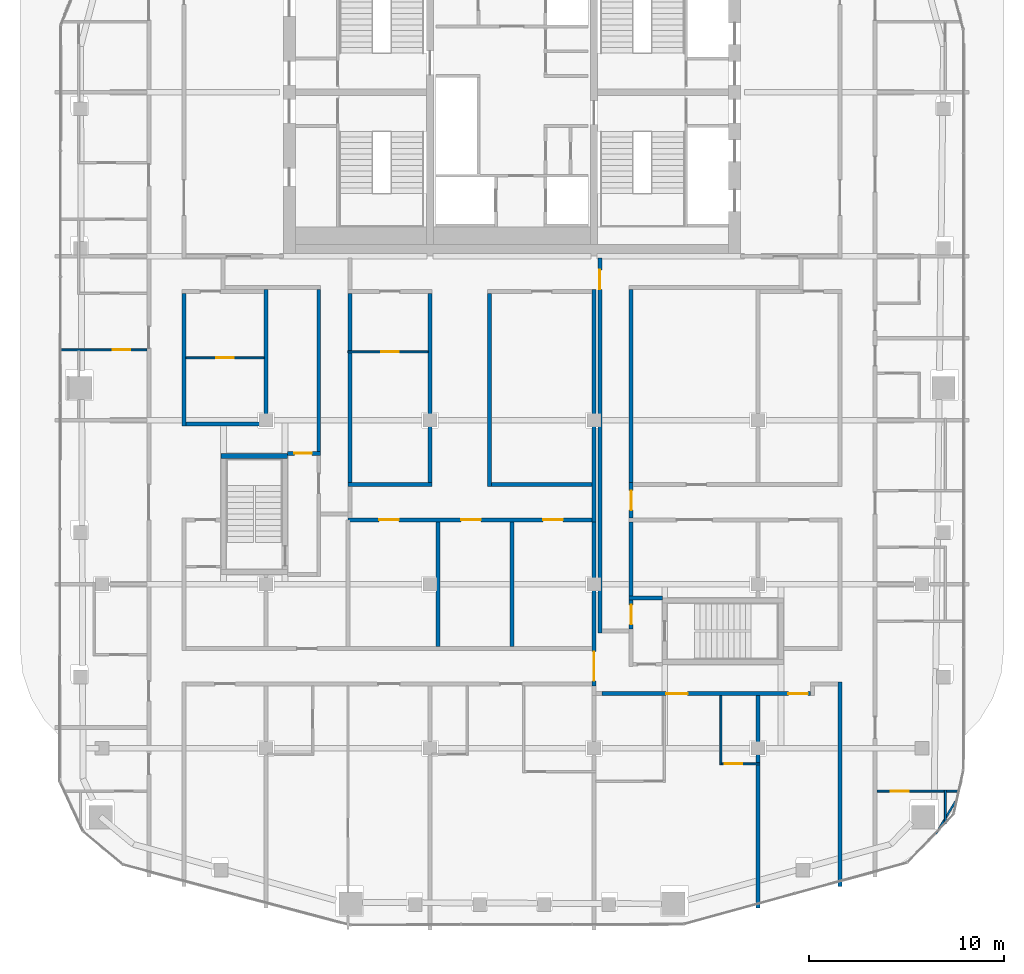
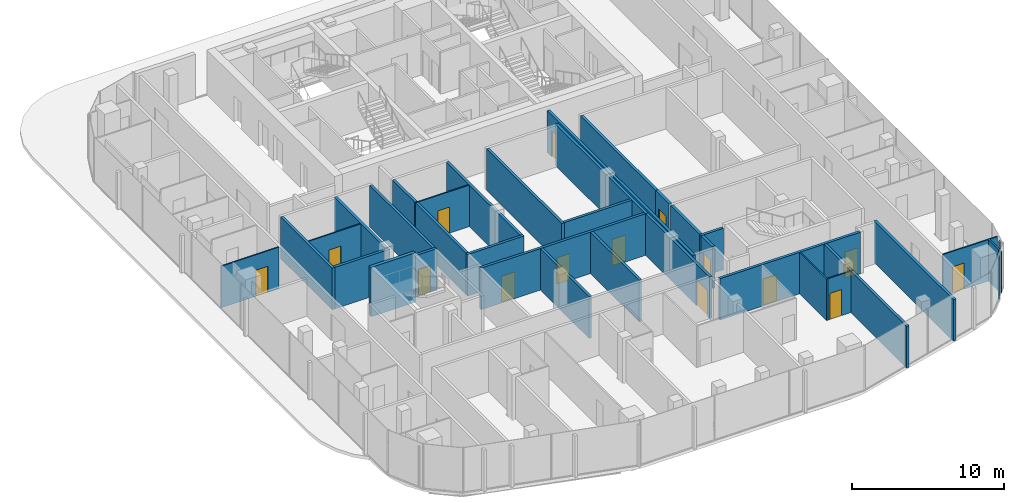
# One storey, part 15 of 21: 32 walls, 15 doors, 15 openings.
"""IFC4 building model written with IfcOpenShell, lengths in metres."""

from ifc_helpers import new_model, si_unit, direction, frame, frame_2d, origin, place, context, subcontext, project, spatial, rectangle, extrude, material, layer, layer_set, type_object, element, fill, save


model = new_model("IFC4")

# Units and contexts
model_context = context("Model", 3, precision=1e-05, world=origin(), true_north=direction((0.0, 1.0)))
body_context = subcontext(model_context, "Body", "Model", "MODEL_VIEW")
ifc_project = project(units=[si_unit("LENGTHUNIT", "METRE"), si_unit("AREAUNIT", "SQUARE_METRE"), si_unit("VOLUMEUNIT", "CUBIC_METRE"), si_unit("PLANEANGLEUNIT", "RADIAN"), si_unit("MASSUNIT", "GRAM", prefix="KILO")], contexts=[model_context])

# Site, building, storey
site_placement = place(None, origin())
site = spatial("IfcSite", under=ifc_project, at=site_placement, CompositionType="ELEMENT")
building_placement = place(site_placement, origin())
building = spatial("IfcBuilding", under=site, at=building_placement, Name="Marenta Gate Hotel Tower", CompositionType="ELEMENT")
storey_placement = place(building_placement, frame((0.0, 0.0, 266.89990234375)))
storey = spatial("IfcBuildingStorey", under=building, at=storey_placement, Name="L61", CompositionType="ELEMENT", Elevation=266.89990234375)

# Wall, opening, door
ifc_material_1 = material(Name="Concrete blockwork", Category="masonry")
ifc_layer_1 = layer(ifc_material_1, 0.199951171875)
ifc_layer_set_1 = layer_set([ifc_layer_1], Name="Concrete blockwork")
wall_type_1 = type_object("IfcWallType", Name="Compartment wall 200 REI 180", PredefinedType="PARTITIONING", material=ifc_layer_set_1)
wall_1_placement = place(storey_placement, frame((4.199951171875, -22.0, 0.0), z_axis=(0.0, 0.0, 1.0), x_axis=(0.0, 1.0, 0.0)))
wall_1 = element("IfcWall", 1, at=wall_1_placement, inside=storey, type_object=wall_type_1, Name="L61-PTN-W066", PredefinedType="PARTITIONING", context=body_context, shape_type="SweptSolid", body=[
    extrude(rectangle(XDim=8.39990234375, YDim=0.199951171875, at=frame_2d((4.199951171875, 0.0))), origin(), (0.0, 0.0, 1.0), 3.340087890625),
])
opening_1_placement = place(wall_1_placement, frame((0.25, 0.0, 0.0)))
opening_1 = element("IfcOpeningElement", 2, at=opening_1_placement, cuts=wall_1, Name="Opening G22-FD1", PredefinedType="OPENING", context=body_context, shape_type="SweptSolid", body=[
    extrude(rectangle(XDim=1.5, YDim=2.10009765625, at=frame_2d((0.75, 1.050048828125))), frame((0.0, 0.10009765625, 0.0), z_axis=(0.0, -1.0, 0.0), x_axis=(1.0, 0.0, 0.0)), (0.0, 0.0, 1.0), 0.199951171875),
])
ifc_material_2 = material(Name="Hollow steel door set", Category="steel")
door_type_1 = type_object("IfcDoorType", Name="Compartment fire door 1500x2100 EI 60", OperationType="DOUBLE_DOOR_DOUBLE_SWING", PredefinedType="DOOR", material=ifc_material_2)
door_1_placement = place(opening_1_placement, origin())
door_1 = element("IfcDoor", 3, at=door_1_placement, inside=storey, type_object=door_type_1, Name="L61-PD-FD01", OperationType="DOUBLE_DOOR_DOUBLE_SWING", OverallHeight=2.10009765625, OverallWidth=1.5, PredefinedType="DOOR", context=body_context, shape_type="SweptSolid", body=[
    extrude(rectangle(XDim=1.5, YDim=2.10009765625, at=frame_2d((0.75, 1.050048828125))), frame((0.0, 0.02490234375, 0.0), z_axis=(0.0, -1.0, 0.0), x_axis=(1.0, 0.0, 0.0)), (0.0, 0.0, 1.0), 0.050048828125),
])
fill(opening_1, door_1)

# Walls
wall_2_placement = place(storey_placement, frame((4.199951171875, -13.60009765625, 0.0), z_axis=(0.0, 0.0, 1.0), x_axis=(0.0, 1.0, 0.0)))
element("IfcWall", 4, at=wall_2_placement, inside=storey, type_object=wall_type_1, Name="L61-PTN-W067", PredefinedType="PARTITIONING", context=body_context, shape_type="SweptSolid", body=[
    extrude(rectangle(XDim=11.900146484375, YDim=0.199951171875, at=frame_2d((5.9501953125, 0.0))), origin(), (0.0, 0.0, 1.0), 3.340087890625),
])
ifc_material_3 = material(Name="Concrete C40", Category="concrete")
ifc_layer_2 = layer(ifc_material_3, 0.25)
ifc_layer_set_2 = layer_set([ifc_layer_2], Name="Concrete C40")
wall_type_2 = type_object("IfcWallType", Name="Remote stair enclosure wall 250 REI 180", PredefinedType="SHEAR", material=ifc_layer_set_2)
wall_3_placement = place(storey_placement, frame((-14.89990234375, -10.22509765625, -0.260009765625), z_axis=(0.0, 0.0, 1.0), x_axis=(1.0, 0.0, 0.0)))
element("IfcWall", 5, at=wall_3_placement, inside=storey, type_object=wall_type_2, Name="L61-RS-Z4-2-W2", PredefinedType="SHEAR", context=body_context, shape_type="SweptSolid", body=[
    extrude(rectangle(XDim=3.39990234375, YDim=0.25, at=frame_2d((1.699951171875, 0.0))), origin(), (0.0, 0.0, 1.0), 3.960205078125),
])
ifc_material_4 = material(Name="Concrete blockwork", Category="masonry")
ifc_layer_3 = layer(ifc_material_4, 0.199951171875)
ifc_layer_set_3 = layer_set([ifc_layer_3], Name="Concrete blockwork")
wall_type_3 = type_object("IfcWallType", Name="Room corridor wall 200 EI 120", PredefinedType="PARTITIONING", material=ifc_layer_set_3)
wall_4_placement = place(storey_placement, frame((-8.39990234375, -11.699951171875, 0.0), z_axis=(0.0, 0.0, 1.0), x_axis=(1.0, 0.0, 0.0)))
element("IfcWall", 6, at=wall_4_placement, inside=storey, type_object=wall_type_3, Name="L61-PTN-W046", PredefinedType="PARTITIONING", context=body_context, shape_type="SweptSolid", body=[
    extrude(rectangle(XDim=4.2998046875, YDim=0.199951171875, at=frame_2d((2.14990234375, 0.0))), origin(), (0.0, 0.0, 1.0), 3.340087890625),
])
wall_5_placement = place(storey_placement, frame((-4.199951171875, -11.60009765625, 0.0), z_axis=(0.0, 0.0, 1.0), x_axis=(0.0, 1.0, 0.0)))
element("IfcWall", 7, at=wall_5_placement, inside=storey, type_object=wall_type_3, Name="L61-PTN-W087", PredefinedType="PARTITIONING", context=body_context, shape_type="SweptSolid", body=[
    extrude(rectangle(XDim=9.7001953125, YDim=0.199951171875, at=frame_2d((4.85009765625, 0.0))), origin(), (0.0, 0.0, 1.0), 3.340087890625),
])

# Wall, openings, doors
ifc_material_5 = material(Name="Gypsum board on steel stud", Category="steel")
ifc_layer_4 = layer(ifc_material_5, 0.199951171875)
ifc_layer_set_4 = layer_set([ifc_layer_4], Name="Gypsum board on steel stud")
wall_type_4 = type_object("IfcWallType", Name="Room corridor wall 200 EI 60", PredefinedType="PARTITIONING", material=ifc_layer_set_4)
wall_6_placement = place(storey_placement, frame((4.60009765625, -22.39990234375, 0.0), z_axis=(0.0, 0.0, 1.0), x_axis=(1.0, 0.0, 0.0)))
wall_6 = element("IfcWall", 8, at=wall_6_placement, inside=storey, type_object=wall_type_4, Name="L61-PTN-W011", PredefinedType="PARTITIONING", context=body_context, shape_type="SweptSolid", body=[
    extrude(rectangle(XDim=10.699951171875, YDim=0.199951171875, at=frame_2d((5.35009765625, 0.0))), origin(), (0.0, 0.0, 1.0), 3.340087890625),
])
opening_2_placement = place(wall_6_placement, frame((3.300048828125, 0.0, 0.0)))
opening_2 = element("IfcOpeningElement", 9, at=opening_2_placement, cuts=wall_6, Name="Opening G22-35", PredefinedType="OPENING", context=body_context, shape_type="SweptSolid", body=[
    extrude(rectangle(XDim=1.10009765625, YDim=2.10009765625, at=frame_2d((0.550048828125, 1.050048828125))), frame((0.0, 0.10009765625, 0.0), z_axis=(0.0, -1.0, 0.0), x_axis=(1.0, 0.0, 0.0)), (0.0, 0.0, 1.0), 0.199951171875),
])
opening_3_placement = place(wall_6_placement, frame((9.550048828125, 0.0, 0.0)))
opening_3 = element("IfcOpeningElement", 10, at=opening_3_placement, cuts=wall_6, Name="Opening G22-38", PredefinedType="OPENING", context=body_context, shape_type="SweptSolid", body=[
    extrude(rectangle(XDim=1.0, YDim=2.10009765625, at=frame_2d((0.5, 1.050048828125))), frame((0.0, 0.10009765625, 0.0), z_axis=(0.0, -1.0, 0.0), x_axis=(1.0, 0.0, 0.0)), (0.0, 0.0, 1.0), 0.199951171875),
])
ifc_material_6 = material(Name="Timber door leaf", Category="wood")
door_type_2 = type_object("IfcDoorType", Name="Guest room door 1100x2100 EI 30", OperationType="NOTDEFINED", PredefinedType="DOOR", material=ifc_material_6)
door_2_placement = place(opening_2_placement, origin())
door_2 = element("IfcDoor", 11, at=door_2_placement, inside=storey, type_object=door_type_2, Name="L61-PD-D035", OperationType="SINGLE_SWING_RIGHT", OverallHeight=2.10009765625, OverallWidth=1.10009765625, PredefinedType="DOOR", context=body_context, shape_type="SweptSolid", body=[
    extrude(rectangle(XDim=1.10009765625, YDim=2.10009765625, at=frame_2d((0.550048828125, 1.050048828125))), frame((0.0, 0.02490234375, 0.0), z_axis=(0.0, -1.0, 0.0), x_axis=(1.0, 0.0, 0.0)), (0.0, 0.0, 1.0), 0.050048828125),
])
fill(opening_2, door_2)
ifc_material_7 = material(Name="Timber door leaf", Category="wood")
door_type_3 = type_object("IfcDoorType", Name="Room amenity door 1000x2100 EI 30", OperationType="NOTDEFINED", PredefinedType="DOOR", material=ifc_material_7)
door_3_placement = place(opening_3_placement, origin())
door_3 = element("IfcDoor", 12, at=door_3_placement, inside=storey, type_object=door_type_3, Name="L61-PD-D038", OperationType="SINGLE_SWING_RIGHT", OverallHeight=2.10009765625, OverallWidth=1.0, PredefinedType="DOOR", context=body_context, shape_type="SweptSolid", body=[
    extrude(rectangle(XDim=1.0, YDim=2.10009765625, at=frame_2d((0.5, 1.050048828125))), frame((0.0, 0.02490234375, 0.0), z_axis=(0.0, -1.0, 0.0), x_axis=(1.0, 0.0, 0.0)), (0.0, 0.0, 1.0), 0.050048828125),
])
fill(opening_3, door_3)

# Wall
wall_7_placement = place(storey_placement, frame((16.800048828125, -32.27099609375, 0.0), z_axis=(0.0, 0.0, 1.0), x_axis=(0.0, 1.0, 0.0)))
element("IfcWall", 13, at=wall_7_placement, inside=storey, type_object=wall_type_4, Name="L61-PTN-W028", PredefinedType="PARTITIONING", context=body_context, shape_type="SweptSolid", body=[
    extrude(rectangle(XDim=10.470947265625, YDim=0.199951171875, at=frame_2d((5.2353515625, 0.0))), origin(), (0.0, 0.0, 1.0), 3.340087890625),
])

# Wall, openings, doors
wall_8_placement = place(storey_placement, frame((-8.39990234375, -13.5, 0.0), z_axis=(0.0, 0.0, 1.0), x_axis=(1.0, 0.0, 0.0)))
wall_8 = element("IfcWall", 14, at=wall_8_placement, inside=storey, type_object=wall_type_4, Name="L61-PTN-W039", PredefinedType="PARTITIONING", context=body_context, shape_type="SweptSolid", body=[
    extrude(rectangle(XDim=12.699951171875, YDim=0.199951171875, at=frame_2d((6.35009765625, 0.0))), origin(), (0.0, 0.0, 1.0), 3.340087890625),
])
opening_4_placement = place(wall_8_placement, frame((1.60009765625, 0.0, 0.0)))
opening_4 = element("IfcOpeningElement", 15, at=opening_4_placement, cuts=wall_8, Name="Opening G22-09", PredefinedType="OPENING", context=body_context, shape_type="SweptSolid", body=[
    extrude(rectangle(XDim=1.0, YDim=2.10009765625, at=frame_2d((0.5, 1.050048828125))), frame((0.0, 0.10009765625, 0.0), z_axis=(0.0, -1.0, 0.0), x_axis=(1.0, 0.0, 0.0)), (0.0, 0.0, 1.0), 0.199951171875),
])
opening_5_placement = place(wall_8_placement, frame((5.800048828125, 0.0, 0.0)))
opening_5 = element("IfcOpeningElement", 16, at=opening_5_placement, cuts=wall_8, Name="Opening G22-10", PredefinedType="OPENING", context=body_context, shape_type="SweptSolid", body=[
    extrude(rectangle(XDim=1.0, YDim=2.10009765625, at=frame_2d((0.5, 1.050048828125))), frame((0.0, 0.10009765625, 0.0), z_axis=(0.0, -1.0, 0.0), x_axis=(1.0, 0.0, 0.0)), (0.0, 0.0, 1.0), 0.199951171875),
])
opening_6_placement = place(wall_8_placement, frame((10.0, 0.0, 0.0)))
opening_6 = element("IfcOpeningElement", 17, at=opening_6_placement, cuts=wall_8, Name="Opening G22-11", PredefinedType="OPENING", context=body_context, shape_type="SweptSolid", body=[
    extrude(rectangle(XDim=1.0, YDim=2.10009765625, at=frame_2d((0.5, 1.050048828125))), frame((0.0, 0.10009765625, 0.0), z_axis=(0.0, -1.0, 0.0), x_axis=(1.0, 0.0, 0.0)), (0.0, 0.0, 1.0), 0.199951171875),
])
door_4_placement = place(opening_4_placement, origin())
door_4 = element("IfcDoor", 18, at=door_4_placement, inside=storey, type_object=door_type_3, Name="L61-PD-D009", OperationType="SINGLE_SWING_LEFT", OverallHeight=2.10009765625, OverallWidth=1.0, PredefinedType="DOOR", context=body_context, shape_type="SweptSolid", body=[
    extrude(rectangle(XDim=1.0, YDim=2.10009765625, at=frame_2d((0.5, 1.050048828125))), frame((0.0, 0.02490234375, 0.0), z_axis=(0.0, -1.0, 0.0), x_axis=(1.0, 0.0, 0.0)), (0.0, 0.0, 1.0), 0.050048828125),
])
fill(opening_4, door_4)
door_5_placement = place(opening_5_placement, origin())
door_5 = element("IfcDoor", 19, at=door_5_placement, inside=storey, type_object=door_type_3, Name="L61-PD-D010", OperationType="SINGLE_SWING_LEFT", OverallHeight=2.10009765625, OverallWidth=1.0, PredefinedType="DOOR", context=body_context, shape_type="SweptSolid", body=[
    extrude(rectangle(XDim=1.0, YDim=2.10009765625, at=frame_2d((0.5, 1.050048828125))), frame((0.0, 0.02490234375, 0.0), z_axis=(0.0, -1.0, 0.0), x_axis=(1.0, 0.0, 0.0)), (0.0, 0.0, 1.0), 0.050048828125),
])
fill(opening_5, door_5)
door_6_placement = place(opening_6_placement, origin())
door_6 = element("IfcDoor", 20, at=door_6_placement, inside=storey, type_object=door_type_3, Name="L61-PD-D011", OperationType="SINGLE_SWING_RIGHT", OverallHeight=2.10009765625, OverallWidth=1.0, PredefinedType="DOOR", context=body_context, shape_type="SweptSolid", body=[
    extrude(rectangle(XDim=1.0, YDim=2.10009765625, at=frame_2d((0.5, 1.050048828125))), frame((0.0, 0.02490234375, 0.0), z_axis=(0.0, -1.0, 0.0), x_axis=(1.0, 0.0, 0.0)), (0.0, 0.0, 1.0), 0.050048828125),
])
fill(opening_6, door_6)

# Walls
wall_9_placement = place(storey_placement, frame((-1.050048828125, -11.699951171875, 0.0), z_axis=(0.0, 0.0, 1.0), x_axis=(1.0, 0.0, 0.0)))
element("IfcWall", 21, at=wall_9_placement, inside=storey, type_object=wall_type_4, Name="L61-PTN-W047", PredefinedType="PARTITIONING", context=body_context, shape_type="SweptSolid", body=[
    extrude(rectangle(XDim=5.150146484375, YDim=0.199951171875, at=frame_2d((2.5751953125, 0.0))), origin(), (0.0, 0.0, 1.0), 3.340087890625),
])
wall_10_placement = place(storey_placement, frame((-16.699951171875, -8.60009765625, 0.0), z_axis=(0.0, 0.0, 1.0), x_axis=(1.0, 0.0, 0.0)))
element("IfcWall", 22, at=wall_10_placement, inside=storey, type_object=wall_type_4, Name="L61-PTN-W051", PredefinedType="PARTITIONING", context=body_context, shape_type="SweptSolid", body=[
    extrude(rectangle(XDim=4.199951171875, YDim=0.199951171875, at=frame_2d((2.10009765625, 0.0))), origin(), (0.0, 0.0, 1.0), 3.340087890625),
])
wall_11_placement = place(storey_placement, frame((-1.14990234375, -11.800048828125, 0.0), z_axis=(0.0, 0.0, 1.0), x_axis=(0.0, 1.0, 0.0)))
element("IfcWall", 23, at=wall_11_placement, inside=storey, type_object=wall_type_4, Name="L61-PTN-W082", PredefinedType="PARTITIONING", context=body_context, shape_type="SweptSolid", body=[
    extrude(rectangle(XDim=9.900146484375, YDim=0.199951171875, at=frame_2d((4.9501953125, 0.0))), origin(), (0.0, 0.0, 1.0), 3.340087890625),
])
for number, where, z_axis, x_axis, name in (
    (24, (-12.60009765625, -8.5, 0.0), (0.0, 0.0, 1.0), (0.0, 1.0, 0.0), "L61-PTN-W104"),
    (25, (-16.800048828125, -8.699951171875, 0.0), (0.0, 0.0, 1.0), (0.0, 1.0, 0.0), "L61-PTN-W110"),
):
    element("IfcWall", number, at=place(storey_placement, frame(where, z_axis=z_axis, x_axis=x_axis)), inside=storey, type_object=wall_type_4, Name=name, PredefinedType="PARTITIONING", context=body_context, shape_type="SweptSolid", body=[
        extrude(rectangle(XDim=6.800048828125, YDim=0.199951171875, at=frame_2d((3.39990234375, 0.0))), origin(), (0.0, 0.0, 1.0), 3.340087890625),
    ])

# Wall, opening, door
ifc_material_8 = material(Name="Concrete blockwork", Category="masonry")
ifc_layer_5 = layer(ifc_material_8, 0.199951171875)
ifc_layer_set_5 = layer_set([ifc_layer_5], Name="Concrete blockwork")
wall_type_5 = type_object("IfcWallType", Name="Room corridor wall 200 REI 180", PredefinedType="PARTITIONING", material=ifc_layer_set_5)
wall_12_placement = place(storey_placement, frame((-11.5, -10.10009765625, 0.0), z_axis=(0.0, 0.0, 1.0), x_axis=(1.0, 0.0, 0.0)))
wall_12 = element("IfcWall", 26, at=wall_12_placement, inside=storey, type_object=wall_type_5, Name="L61-PTN-W050", PredefinedType="PARTITIONING", context=body_context, shape_type="SweptSolid", body=[
    extrude(rectangle(XDim=1.699951171875, YDim=0.199951171875, at=frame_2d((0.85009765625, 0.0))), origin(), (0.0, 0.0, 1.0), 3.340087890625),
])
opening_7_placement = place(wall_12_placement, frame((0.35009765625, 0.0, 0.0)))
opening_7 = element("IfcOpeningElement", 27, at=opening_7_placement, cuts=wall_12, Name="Opening G22-55", PredefinedType="OPENING", context=body_context, shape_type="SweptSolid", body=[
    extrude(rectangle(XDim=0.89990234375, YDim=2.10009765625, at=frame_2d((0.449951171875, 1.050048828125))), frame((0.0, 0.10009765625, 0.0), z_axis=(0.0, -1.0, 0.0), x_axis=(1.0, 0.0, 0.0)), (0.0, 0.0, 1.0), 0.199951171875),
])
ifc_material_9 = material(Name="Hollow steel door set", Category="steel")
door_type_4 = type_object("IfcDoorType", Name="Stair vestibule door 900x2100 EI 60", OperationType="NOTDEFINED", PredefinedType="DOOR", material=ifc_material_9)
door_7_placement = place(opening_7_placement, origin())
door_7 = element("IfcDoor", 28, at=door_7_placement, inside=storey, type_object=door_type_4, Name="L61-PD-D055", OperationType="SINGLE_SWING_LEFT", OverallHeight=2.10009765625, OverallWidth=0.89990234375, PredefinedType="DOOR", context=body_context, shape_type="SweptSolid", body=[
    extrude(rectangle(XDim=0.89990234375, YDim=2.10009765625, at=frame_2d((0.449951171875, 1.050048828125))), frame((0.0, 0.02490234375, 0.0), z_axis=(0.0, -1.0, 0.0), x_axis=(1.0, 0.0, 0.0)), (0.0, 0.0, 1.0), 0.050048828125),
])
fill(opening_7, door_7)

wall_13_placement = place(storey_placement, frame((6.10009765625, -13.39990234375, 0.0), z_axis=(0.0, 0.0, 1.0), x_axis=(0.0, 1.0, 0.0)))
wall_13 = element("IfcWall", 29, at=wall_13_placement, inside=storey, type_object=wall_type_5, Name="L61-PTN-W056", PredefinedType="PARTITIONING", context=body_context, shape_type="SweptSolid", body=[
    extrude(rectangle(XDim=1.7998046875, YDim=0.199951171875, at=frame_2d((0.89990234375, 0.0))), origin(), (0.0, 0.0, 1.0), 3.340087890625),
])
opening_8_placement = place(wall_13_placement, frame((0.39990234375, 0.0, 0.0)))
opening_8 = element("IfcOpeningElement", 30, at=opening_8_placement, cuts=wall_13, Name="Opening G22-60", PredefinedType="OPENING", context=body_context, shape_type="SweptSolid", body=[
    extrude(rectangle(XDim=1.0, YDim=2.10009765625, at=frame_2d((0.5, 1.050048828125))), frame((0.0, 0.10009765625, 0.0), z_axis=(0.0, -1.0, 0.0), x_axis=(1.0, 0.0, 0.0)), (0.0, 0.0, 1.0), 0.199951171875),
])
ifc_material_10 = material(Name="Hollow steel door set", Category="steel")
door_type_5 = type_object("IfcDoorType", Name="Room service door 1000x2100 EI 60", OperationType="NOTDEFINED", PredefinedType="DOOR", material=ifc_material_10)
door_8_placement = place(opening_8_placement, origin())
door_8 = element("IfcDoor", 31, at=door_8_placement, inside=storey, type_object=door_type_5, Name="L61-PD-D060", OperationType="SINGLE_SWING_RIGHT", OverallHeight=2.10009765625, OverallWidth=1.0, PredefinedType="DOOR", context=body_context, shape_type="SweptSolid", body=[
    extrude(rectangle(XDim=1.0, YDim=2.10009765625, at=frame_2d((0.5, 1.050048828125))), frame((0.0, 0.02490234375, 0.0), z_axis=(0.0, -1.0, 0.0), x_axis=(1.0, 0.0, 0.0)), (0.0, 0.0, 1.0), 0.050048828125),
])
fill(opening_8, door_8)

wall_14_placement = place(storey_placement, frame((4.5, -19.300048828125, 0.0), z_axis=(0.0, 0.0, 1.0), x_axis=(0.0, 1.0, 0.0)))
wall_14 = element("IfcWall", 32, at=wall_14_placement, inside=storey, type_object=wall_type_5, Name="L61-PTN-W063", PredefinedType="PARTITIONING", context=body_context, shape_type="SweptSolid", body=[
    extrude(rectangle(XDim=19.199951171875, YDim=0.199951171875, at=frame_2d((9.60009765625, 0.0))), origin(), (0.0, 0.0, 1.0), 3.340087890625),
])
opening_9_placement = place(wall_14_placement, frame((17.60009765625, 0.0, 0.0)))
opening_9 = element("IfcOpeningElement", 33, at=opening_9_placement, cuts=wall_14, Name="Opening G22-59", PredefinedType="OPENING", context=body_context, shape_type="SweptSolid", body=[
    extrude(rectangle(XDim=1.0, YDim=2.10009765625, at=frame_2d((0.5, 1.050048828125))), frame((0.0, 0.10009765625, 0.0), z_axis=(0.0, -1.0, 0.0), x_axis=(1.0, 0.0, 0.0)), (0.0, 0.0, 1.0), 0.199951171875),
])
door_9_placement = place(opening_9_placement, origin())
door_9 = element("IfcDoor", 34, at=door_9_placement, inside=storey, type_object=door_type_5, Name="L61-PD-D059", OperationType="SINGLE_SWING_RIGHT", OverallHeight=2.10009765625, OverallWidth=1.0, PredefinedType="DOOR", context=body_context, shape_type="SweptSolid", body=[
    extrude(rectangle(XDim=1.0, YDim=2.10009765625, at=frame_2d((0.5, 1.050048828125))), frame((0.0, 0.02490234375, 0.0), z_axis=(0.0, -1.0, 0.0), x_axis=(1.0, 0.0, 0.0)), (0.0, 0.0, 1.0), 0.050048828125),
])
fill(opening_9, door_9)

# Walls
wall_15_placement = place(storey_placement, frame((-9.89990234375, -10.0, 0.0), z_axis=(0.0, 0.0, 1.0), x_axis=(0.0, 1.0, 0.0)))
element("IfcWall", 35, at=wall_15_placement, inside=storey, type_object=wall_type_5, Name="L61-PTN-W098", PredefinedType="PARTITIONING", context=body_context, shape_type="SweptSolid", body=[
    extrude(rectangle(XDim=8.300048828125, YDim=0.199951171875, at=frame_2d((4.14990234375, 0.0))), origin(), (0.0, 0.0, 1.0), 3.340087890625),
])
ifc_material_11 = material(Name="Gypsum board on steel stud", Category="steel")
ifc_layer_6 = layer(ifc_material_11, 0.10009765625)
ifc_layer_set_6 = layer_set([ifc_layer_6], Name="Gypsum board on steel stud")
wall_type_6 = type_object("IfcWallType", Name="Room partition 100", PredefinedType="PARTITIONING", material=ifc_layer_set_6)
wall_16_placement = place(storey_placement, frame((21.699951171875, -29.59912109375, 0.0), z_axis=(0.0, 0.0, 1.0), x_axis=(0.519440680624, 0.854506512153, 0.0)))
element("IfcWall", 36, at=wall_16_placement, inside=storey, type_object=wall_type_6, Name="L61-PTN-W001", PredefinedType="PARTITIONING", context=body_context, shape_type="SweptSolid", body=[
    extrude(rectangle(XDim=2.065673828125, YDim=0.10009765625, at=frame_2d((1.03271484375, 0.0))), origin(), (0.0, 0.0, 1.0), 3.340087890625),
])

# Wall, opening, door
wall_17_placement = place(storey_placement, frame((18.699951171875, -27.39404296875, 0.0), z_axis=(0.0, 0.0, 1.0), x_axis=(1.0, 0.0, 0.0)))
wall_17 = element("IfcWall", 37, at=wall_17_placement, inside=storey, type_object=wall_type_6, Name="L61-PTN-W003", PredefinedType="PARTITIONING", context=body_context, shape_type="SweptSolid", body=[
    extrude(rectangle(XDim=4.151123046875, YDim=0.10009765625, at=frame_2d((2.07568359375, 0.0))), origin(), (0.0, 0.0, 1.0), 3.340087890625),
])
opening_10_placement = place(wall_17_placement, frame((0.7099609375, 0.0, 0.0)))
opening_10 = element("IfcOpeningElement", 38, at=opening_10_placement, cuts=wall_17, Name="Opening G22-15", PredefinedType="OPENING", context=body_context, shape_type="SweptSolid", body=[
    extrude(rectangle(XDim=0.89990234375, YDim=2.10009765625, at=frame_2d((0.449951171875, 1.050048828125))), frame((0.0, 0.050048828125, 0.0), z_axis=(0.0, -1.0, 0.0), x_axis=(1.0, 0.0, 0.0)), (0.0, 0.0, 1.0), 0.10009765625),
])
ifc_material_12 = material(Name="Timber door leaf", Category="wood")
door_type_6 = type_object("IfcDoorType", Name="Guest bathroom door 900x2100", OperationType="NOTDEFINED", PredefinedType="DOOR", material=ifc_material_12)
door_10_placement = place(opening_10_placement, origin())
door_10 = element("IfcDoor", 39, at=door_10_placement, inside=storey, type_object=door_type_6, Name="L61-PD-D015", OperationType="SINGLE_SWING_LEFT", OverallHeight=2.10009765625, OverallWidth=0.89990234375, PredefinedType="DOOR", context=body_context, shape_type="SweptSolid", body=[
    extrude(rectangle(XDim=0.89990234375, YDim=2.10009765625, at=frame_2d((0.449951171875, 1.050048828125))), frame((0.0, 0.02490234375, 0.0), z_axis=(0.0, -1.0, 0.0), x_axis=(1.0, 0.0, 0.0)), (0.0, 0.0, 1.0), 0.050048828125),
])
fill(opening_10, door_10)

wall_18_placement = place(storey_placement, frame((10.75, -26.0, 0.0), z_axis=(0.0, 0.0, 1.0), x_axis=(1.0, 0.0, 0.0)))
wall_18 = element("IfcWall", 40, at=wall_18_placement, inside=storey, type_object=wall_type_6, Name="L61-PTN-W006", PredefinedType="PARTITIONING", context=body_context, shape_type="SweptSolid", body=[
    extrude(rectangle(XDim=1.949951171875, YDim=0.10009765625, at=frame_2d((0.97509765625, 0.0))), origin(), (0.0, 0.0, 1.0), 3.340087890625),
])
opening_11_placement = place(wall_18_placement, frame((0.14990234375, 0.0, 0.0)))
opening_11 = element("IfcOpeningElement", 41, at=opening_11_placement, cuts=wall_18, Name="Opening G22-37", PredefinedType="OPENING", context=body_context, shape_type="SweptSolid", body=[
    extrude(rectangle(XDim=0.89990234375, YDim=2.10009765625, at=frame_2d((0.449951171875, 1.050048828125))), frame((0.0, 0.050048828125, 0.0), z_axis=(0.0, -1.0, 0.0), x_axis=(1.0, 0.0, 0.0)), (0.0, 0.0, 1.0), 0.10009765625),
])
ifc_material_13 = material(Name="Timber door leaf", Category="wood")
door_type_7 = type_object("IfcDoorType", Name="Room inner door 900x2100", OperationType="NOTDEFINED", PredefinedType="DOOR", material=ifc_material_13)
door_11_placement = place(opening_11_placement, origin())
door_11 = element("IfcDoor", 42, at=door_11_placement, inside=storey, type_object=door_type_7, Name="L61-PD-D037", OperationType="SINGLE_SWING_LEFT", OverallHeight=2.10009765625, OverallWidth=0.89990234375, PredefinedType="DOOR", context=body_context, shape_type="SweptSolid", body=[
    extrude(rectangle(XDim=0.89990234375, YDim=2.10009765625, at=frame_2d((0.449951171875, 1.050048828125))), frame((0.0, 0.02490234375, 0.0), z_axis=(0.0, -1.0, 0.0), x_axis=(1.0, 0.0, 0.0)), (0.0, 0.0, 1.0), 0.050048828125),
])
fill(opening_11, door_11)

# Walls
wall_19_placement = place(storey_placement, frame((22.199951171875, -29.075927734375, 0.0), z_axis=(0.0, 0.0, 1.0), x_axis=(0.0, 1.0, 0.0)))
element("IfcWall", 43, at=wall_19_placement, inside=storey, type_object=wall_type_6, Name="L61-PTN-W012", PredefinedType="PARTITIONING", context=body_context, shape_type="SweptSolid", body=[
    extrude(rectangle(XDim=1.73193359375, YDim=0.10009765625, at=frame_2d((0.865966796875, 0.0))), origin(), (0.0, 0.0, 1.0), 3.340087890625),
])
wall_20_placement = place(storey_placement, frame((10.699951171875, -26.050048828125, 0.0), z_axis=(0.0, 0.0, 1.0), x_axis=(0.0, 1.0, 0.0)))
element("IfcWall", 44, at=wall_20_placement, inside=storey, type_object=wall_type_6, Name="L61-PTN-W049", PredefinedType="PARTITIONING", context=body_context, shape_type="SweptSolid", body=[
    extrude(rectangle(XDim=3.550048828125, YDim=0.10009765625, at=frame_2d((1.77490234375, 0.0))), origin(), (0.0, 0.0, 1.0), 3.340087890625),
])

# Wall, opening, door
wall_21_placement = place(storey_placement, frame((-16.699951171875, -5.199951171875, 0.0), z_axis=(0.0, 0.0, 1.0), x_axis=(1.0, 0.0, 0.0)))
wall_21 = element("IfcWall", 45, at=wall_21_placement, inside=storey, type_object=wall_type_6, Name="L61-PTN-W060", PredefinedType="PARTITIONING", context=body_context, shape_type="SweptSolid", body=[
    extrude(rectangle(XDim=4.0, YDim=0.10009765625, at=frame_2d((2.0, 0.0))), origin(), (0.0, 0.0, 1.0), 3.340087890625),
])
opening_12_placement = place(wall_21_placement, frame((1.550048828125, 0.0, 0.0)))
opening_12 = element("IfcOpeningElement", 46, at=opening_12_placement, cuts=wall_21, Name="Opening G22-02", PredefinedType="OPENING", context=body_context, shape_type="SweptSolid", body=[
    extrude(rectangle(XDim=0.89990234375, YDim=2.10009765625, at=frame_2d((0.449951171875, 1.050048828125))), frame((0.0, 0.050048828125, 0.0), z_axis=(0.0, -1.0, 0.0), x_axis=(1.0, 0.0, 0.0)), (0.0, 0.0, 1.0), 0.10009765625),
])
door_12_placement = place(opening_12_placement, origin())
door_12 = element("IfcDoor", 47, at=door_12_placement, inside=storey, type_object=door_type_7, Name="L61-PD-D002", OperationType="SINGLE_SWING_RIGHT", OverallHeight=2.10009765625, OverallWidth=0.89990234375, PredefinedType="DOOR", context=body_context, shape_type="SweptSolid", body=[
    extrude(rectangle(XDim=0.89990234375, YDim=2.10009765625, at=frame_2d((0.449951171875, 1.050048828125))), frame((0.0, 0.02490234375, 0.0), z_axis=(0.0, -1.0, 0.0), x_axis=(1.0, 0.0, 0.0)), (0.0, 0.0, 1.0), 0.050048828125),
])
fill(opening_12, door_12)

wall_22_placement = place(storey_placement, frame((-8.39990234375, -4.89990234375, 0.0), z_axis=(0.0, 0.0, 1.0), x_axis=(1.0, 0.0, 0.0)))
wall_22 = element("IfcWall", 48, at=wall_22_placement, inside=storey, type_object=wall_type_6, Name="L61-PTN-W061", PredefinedType="PARTITIONING", context=body_context, shape_type="SweptSolid", body=[
    extrude(rectangle(XDim=4.099853515625, YDim=0.10009765625, at=frame_2d((2.0498046875, 0.0))), origin(), (0.0, 0.0, 1.0), 3.340087890625),
])
opening_13_placement = place(wall_22_placement, frame((1.699951171875, 0.0, 0.0)))
opening_13 = element("IfcOpeningElement", 49, at=opening_13_placement, cuts=wall_22, Name="Opening G22-04", PredefinedType="OPENING", context=body_context, shape_type="SweptSolid", body=[
    extrude(rectangle(XDim=0.89990234375, YDim=2.10009765625, at=frame_2d((0.449951171875, 1.050048828125))), frame((0.0, 0.050048828125, 0.0), z_axis=(0.0, -1.0, 0.0), x_axis=(1.0, 0.0, 0.0)), (0.0, 0.0, 1.0), 0.10009765625),
])
door_13_placement = place(opening_13_placement, origin())
door_13 = element("IfcDoor", 50, at=door_13_placement, inside=storey, type_object=door_type_7, Name="L61-PD-D004", OperationType="SINGLE_SWING_RIGHT", OverallHeight=2.10009765625, OverallWidth=0.89990234375, PredefinedType="DOOR", context=body_context, shape_type="SweptSolid", body=[
    extrude(rectangle(XDim=0.89990234375, YDim=2.10009765625, at=frame_2d((0.449951171875, 1.050048828125))), frame((0.0, 0.02490234375, 0.0), z_axis=(0.0, -1.0, 0.0), x_axis=(1.0, 0.0, 0.0)), (0.0, 0.0, 1.0), 0.050048828125),
])
fill(opening_13, door_13)

wall_23_placement = place(storey_placement, frame((-23.10791015625, -4.800048828125, 0.0), z_axis=(0.0, 0.0, 1.0), x_axis=(1.0, 0.0, 0.0)))
wall_23 = element("IfcWall", 51, at=wall_23_placement, inside=storey, type_object=wall_type_6, Name="L61-PTN-W062", PredefinedType="PARTITIONING", context=body_context, shape_type="SweptSolid", body=[
    extrude(rectangle(XDim=4.407958984375, YDim=0.10009765625, at=frame_2d((2.2041015625, 0.0))), origin(), (0.0, 0.0, 1.0), 3.340087890625),
])
opening_14_placement = place(wall_23_placement, frame((2.64794921875, 0.0, 0.0)))
opening_14 = element("IfcOpeningElement", 52, at=opening_14_placement, cuts=wall_23, Name="Opening G22-45", PredefinedType="OPENING", context=body_context, shape_type="SweptSolid", body=[
    extrude(rectangle(XDim=0.89990234375, YDim=2.10009765625, at=frame_2d((0.449951171875, 1.050048828125))), frame((0.0, 0.050048828125, 0.0), z_axis=(0.0, -1.0, 0.0), x_axis=(1.0, 0.0, 0.0)), (0.0, 0.0, 1.0), 0.10009765625),
])
door_14_placement = place(opening_14_placement, origin())
door_14 = element("IfcDoor", 53, at=door_14_placement, inside=storey, type_object=door_type_6, Name="L61-PD-D045", OperationType="SINGLE_SWING_RIGHT", OverallHeight=2.10009765625, OverallWidth=0.89990234375, PredefinedType="DOOR", context=body_context, shape_type="SweptSolid", body=[
    extrude(rectangle(XDim=0.89990234375, YDim=2.10009765625, at=frame_2d((0.449951171875, 1.050048828125))), frame((0.0, 0.02490234375, 0.0), z_axis=(0.0, -1.0, 0.0), x_axis=(1.0, 0.0, 0.0)), (0.0, 0.0, 1.0), 0.050048828125),
])
fill(opening_14, door_14)

# Walls
ifc_material_14 = material(Name="Gypsum board on steel stud", Category="steel")
ifc_layer_7 = layer(ifc_material_14, 0.199951171875)
ifc_layer_set_7 = layer_set([ifc_layer_7], Name="Gypsum board on steel stud")
wall_type_7 = type_object("IfcWallType", Name="Room party wall 200 EI 60", PredefinedType="PARTITIONING", material=ifc_layer_set_7)
wall_24_placement = place(storey_placement, frame((12.60009765625, -33.385986328125, 0.0), z_axis=(0.0, 0.0, 1.0), x_axis=(0.0, 1.0, 0.0)))
element("IfcWall", 54, at=wall_24_placement, inside=storey, type_object=wall_type_7, Name="L61-PTN-W042", PredefinedType="PARTITIONING", context=body_context, shape_type="SweptSolid", body=[
    extrude(rectangle(XDim=10.885986328125, YDim=0.199951171875, at=frame_2d((5.44287109375, 0.0))), origin(), (0.0, 0.0, 1.0), 3.340087890625),
])
for number, where, z_axis, x_axis, name in (
    (55, (0.0, -20.0, 0.0), (0.0, 0.0, 1.0), (0.0, 1.0, 0.0), "L61-PTN-W079"),
    (56, (-3.800048828125, -20.0, 0.0), (0.0, 0.0, 1.0), (0.0, 1.0, 0.0), "L61-PTN-W085"),
):
    element("IfcWall", number, at=place(storey_placement, frame(where, z_axis=z_axis, x_axis=x_axis)), inside=storey, type_object=wall_type_7, Name=name, PredefinedType="PARTITIONING", context=body_context, shape_type="SweptSolid", body=[
        extrude(rectangle(XDim=6.39990234375, YDim=0.199951171875, at=frame_2d((3.199951171875, 0.0))), origin(), (0.0, 0.0, 1.0), 3.340087890625),
    ])
ifc_material_15 = material(Name="Concrete blockwork", Category="masonry")
ifc_layer_8 = layer(ifc_material_15, 0.199951171875)
ifc_layer_set_8 = layer_set([ifc_layer_8], Name="Concrete blockwork")
wall_type_8 = type_object("IfcWallType", Name="Room party wall 200 REI 180", PredefinedType="PARTITIONING", material=ifc_layer_set_8)
wall_25_placement = place(storey_placement, frame((6.0, -17.5, 0.0), z_axis=(0.0, 0.0, 1.0), x_axis=(1.0, 0.0, 0.0)))
element("IfcWall", 57, at=wall_25_placement, inside=storey, type_object=wall_type_8, Name="L61-PTN-W027", PredefinedType="PARTITIONING", context=body_context, shape_type="SweptSolid", body=[
    extrude(rectangle(XDim=1.699951171875, YDim=0.199951171875, at=frame_2d((0.85009765625, 0.0))), origin(), (0.0, 0.0, 1.0), 3.340087890625),
])

# Wall, opening, door
wall_26_placement = place(storey_placement, frame((6.10009765625, -19.10009765625, 0.0), z_axis=(0.0, 0.0, 1.0), x_axis=(0.0, 1.0, 0.0)))
wall_26 = element("IfcWall", 58, at=wall_26_placement, inside=storey, type_object=wall_type_8, Name="L61-PTN-W057", PredefinedType="PARTITIONING", context=body_context, shape_type="SweptSolid", body=[
    extrude(rectangle(XDim=5.5, YDim=0.199951171875, at=frame_2d((2.75, 0.0))), origin(), (0.0, 0.0, 1.0), 3.340087890625),
])
opening_15_placement = place(wall_26_placement, frame((0.25, 0.0, 0.0)))
opening_15 = element("IfcOpeningElement", 59, at=opening_15_placement, cuts=wall_26, Name="Opening G22-54", PredefinedType="OPENING", context=body_context, shape_type="SweptSolid", body=[
    extrude(rectangle(XDim=1.0, YDim=2.10009765625, at=frame_2d((0.5, 1.050048828125))), frame((0.0, 0.10009765625, 0.0), z_axis=(0.0, -1.0, 0.0), x_axis=(1.0, 0.0, 0.0)), (0.0, 0.0, 1.0), 0.199951171875),
])
ifc_material_16 = material(Name="Hollow steel door set", Category="steel")
door_type_8 = type_object("IfcDoorType", Name="Stair vestibule door 1000x2100 EI 60", OperationType="NOTDEFINED", PredefinedType="DOOR", material=ifc_material_16)
door_15_placement = place(opening_15_placement, origin())
door_15 = element("IfcDoor", 60, at=door_15_placement, inside=storey, type_object=door_type_8, Name="L61-PD-D054", OperationType="SINGLE_SWING_LEFT", OverallHeight=2.10009765625, OverallWidth=1.0, PredefinedType="DOOR", context=body_context, shape_type="SweptSolid", body=[
    extrude(rectangle(XDim=1.0, YDim=2.10009765625, at=frame_2d((0.5, 1.050048828125))), frame((0.0, 0.02490234375, 0.0), z_axis=(0.0, -1.0, 0.0), x_axis=(1.0, 0.0, 0.0)), (0.0, 0.0, 1.0), 0.050048828125),
])
fill(opening_15, door_15)

# Walls
wall_27_placement = place(storey_placement, frame((6.10009765625, -11.60009765625, 0.0), z_axis=(0.0, 0.0, 1.0), x_axis=(0.0, 1.0, 0.0)))
element("IfcWall", 61, at=wall_27_placement, inside=storey, type_object=wall_type_8, Name="L61-PTN-W058", PredefinedType="PARTITIONING", context=body_context, shape_type="SweptSolid", body=[
    extrude(rectangle(XDim=9.900146484375, YDim=0.199951171875, at=frame_2d((4.9501953125, 0.0))), origin(), (0.0, 0.0, 1.0), 3.340087890625),
])
wall_28_placement = place(storey_placement, frame((-8.300048828125, -11.60009765625, 0.0), z_axis=(0.0, 0.0, 1.0), x_axis=(0.0, 1.0, 0.0)))
element("IfcWall", 62, at=wall_28_placement, inside=storey, type_object=wall_type_8, Name="L61-PTN-W092", PredefinedType="PARTITIONING", context=body_context, shape_type="SweptSolid", body=[
    extrude(rectangle(XDim=9.7001953125, YDim=0.199951171875, at=frame_2d((4.85009765625, 0.0))), origin(), (0.0, 0.0, 1.0), 3.340087890625),
])

save(model, "model.ifc")
